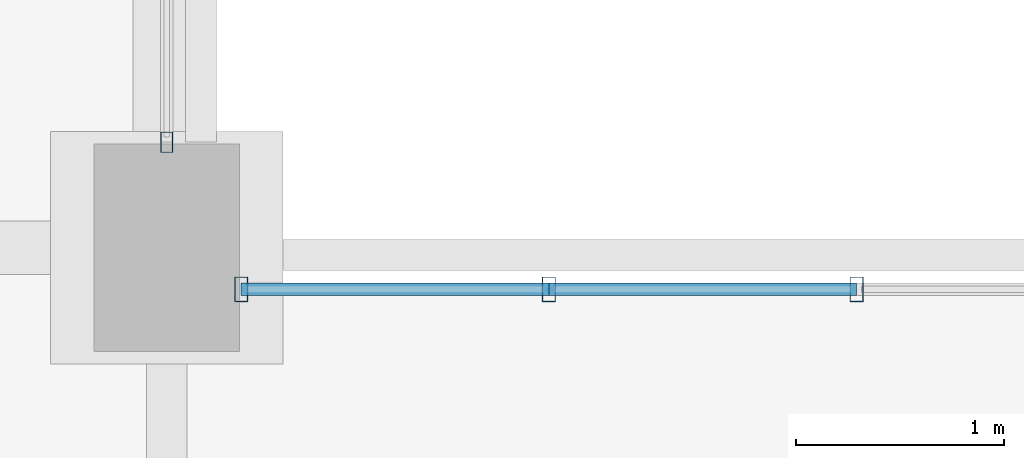
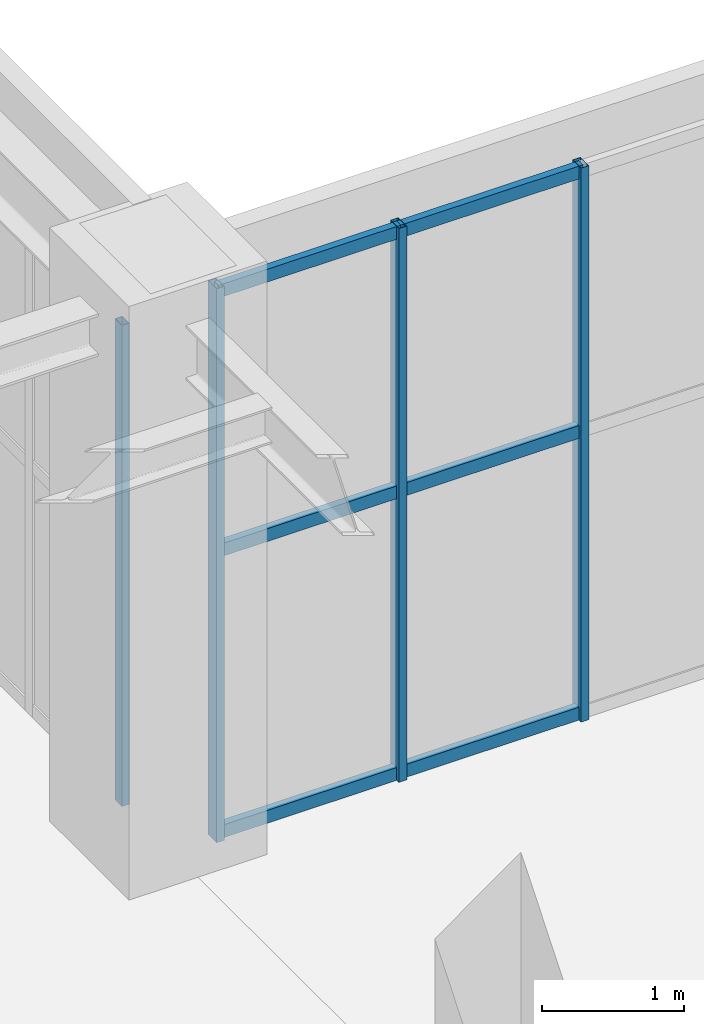
# One storey, part 113 of 174: 10 members, 2 elements without a shape of their own.
"""IFC4 building model written with IfcOpenShell, lengths in metres."""

from ifc_helpers import new_model, si_unit, direction, frame, origin, origin_2d, place, context, subcontext, project, spatial, hollow_rectangle, extrude, material, material_profile, profile_set, type_object, element, aggregate, save


model = new_model("IFC4")

# Units and contexts
model_context = context("Model", 3, precision=1e-05, world=origin(), true_north=direction((0.0, 1.0)))
body_context = subcontext(model_context, "Body", "Model", "MODEL_VIEW")
ifc_project = project(units=[si_unit("LENGTHUNIT", "METRE"), si_unit("AREAUNIT", "SQUARE_METRE"), si_unit("VOLUMEUNIT", "CUBIC_METRE"), si_unit("PLANEANGLEUNIT", "RADIAN"), si_unit("MASSUNIT", "GRAM", prefix="KILO")], contexts=[model_context])

# Site, building, storey
site_placement = place(None, origin())
site = spatial("IfcSite", under=ifc_project, at=site_placement, CompositionType="ELEMENT")
building_placement = place(site_placement, origin())
building = spatial("IfcBuilding", under=site, at=building_placement, Name="Mavantir Sound Aquarium", CompositionType="ELEMENT")
storey_placement = place(building_placement, frame((0.0, 0.0, 5.39990234375)))
storey = spatial("IfcBuildingStorey", under=building, at=storey_placement, Name="L01", CompositionType="ELEMENT", Elevation=5.39990234375)

# Curtain wall, member
ifc_material_1 = material(Name="Anodised Marine Aluminium and Low-E Glass", Category="aluminium")
curtain_wall_type_1 = type_object("IfcCurtainWallType", Name="CW-T15", PredefinedType="USERDEFINED", material=ifc_material_1)
curtain_wall_1_placement = place(storey_placement, origin())
curtain_wall_1 = element("IfcCurtainWall", 1, at=curtain_wall_1_placement, inside=storey, type_object=curtain_wall_type_1, Name="L01 unitised curtain wall CW-15 111", ObjectType="UNITISED GLAZING", PredefinedType="USERDEFINED")
ifc_material_2 = material(Name="Anodised Marine Aluminium 6063-T6", Category="aluminium")
ifc_material_profile_1 = material_profile(ifc_material_2, hollow_rectangle(XDim=0.06005859375, YDim=0.10009765625, WallThickness=0.00390625, at=origin_2d()), Name="ALU-MULLION-100X60")
ifc_profile_set_1 = profile_set([ifc_material_profile_1], Name="Anodised Marine Aluminium 6063-T6")
member_type_1 = type_object("IfcMemberType", Name="CW-MUL-100", PredefinedType="MULLION", material=ifc_profile_set_1)
member_1_placement = place(storey_placement, frame((156.0, 71.30810546875, 0.0), z_axis=(0.0, 0.0, 1.0), x_axis=(1.0, 0.0, 0.0)))
member_1 = element("IfcMember", 2, at=member_1_placement, type_object=member_type_1, Name="CW-L01-111 vertical mullion 1", PredefinedType="MULLION", context=body_context, shape_type="SweptSolid", body=[
    extrude(hollow_rectangle(XDim=0.06005859375, YDim=0.10009765625, WallThickness=0.00390625, at=origin_2d()), origin(), (0.0, 0.0, 1.0), 4.135009765625),
])
aggregate(curtain_wall_1, [member_1])

# Curtain wall, members
curtain_wall_type_2 = type_object("IfcCurtainWallType", Name="CW-T14", PredefinedType="USERDEFINED", material=ifc_material_1)
curtain_wall_2_placement = place(storey_placement, origin())
curtain_wall_2 = element("IfcCurtainWall", 3, at=curtain_wall_2_placement, inside=storey, type_object=curtain_wall_type_2, Name="L01 unitised curtain wall CW-14 110", ObjectType="UNITISED GLAZING", PredefinedType="USERDEFINED")
ifc_material_profile_2 = material_profile(ifc_material_2, hollow_rectangle(XDim=0.06494140625, YDim=0.1201171875, WallThickness=0.00390625, at=origin_2d()), Name="ALU-MULLION-120X65")
ifc_profile_set_2 = profile_set([ifc_material_profile_2], Name="Anodised Marine Aluminium 6063-T6")
member_type_2 = type_object("IfcMemberType", Name="CW-MUL-120", PredefinedType="MULLION", material=ifc_profile_set_2)
member_2_placement = place(storey_placement, frame((159.3193359375, 70.60009765625, 0.0), z_axis=(0.0, 0.0, 1.0), x_axis=(1.0, 0.0, 0.0)))
member_2 = element("IfcMember", 4, at=member_2_placement, type_object=member_type_2, Name="CW-L01-110 vertical mullion 5", PredefinedType="MULLION", context=body_context, shape_type="SweptSolid", body=[
    extrude(hollow_rectangle(XDim=0.06494140625, YDim=0.1201171875, WallThickness=0.00390625, at=origin_2d()), origin(), (0.0, 0.0, 1.0), 4.760009765625),
])
member_3_placement = place(storey_placement, frame((157.838623046875, 70.60009765625, 0.0), z_axis=(0.0, 0.0, 1.0), x_axis=(1.0, 0.0, 0.0)))
member_3 = element("IfcMember", 5, at=member_3_placement, type_object=member_type_2, Name="CW-L01-110 vertical mullion 6", PredefinedType="MULLION", context=body_context, shape_type="SweptSolid", body=[
    extrude(hollow_rectangle(XDim=0.06494140625, YDim=0.1201171875, WallThickness=0.00390625, at=origin_2d()), origin(), (0.0, 0.0, 1.0), 4.760009765625),
])
member_4_placement = place(storey_placement, frame((156.35791015625, 70.60009765625, 0.0), z_axis=(0.0, 0.0, 1.0), x_axis=(1.0, 0.0, 0.0)))
member_4 = element("IfcMember", 6, at=member_4_placement, type_object=member_type_2, Name="CW-L01-110 vertical mullion 7", PredefinedType="MULLION", context=body_context, shape_type="SweptSolid", body=[
    extrude(hollow_rectangle(XDim=0.06494140625, YDim=0.1201171875, WallThickness=0.00390625, at=origin_2d()), origin(), (0.0, 0.0, 1.0), 4.760009765625),
])
ifc_material_profile_3 = material_profile(ifc_material_2, hollow_rectangle(XDim=0.06005859375, YDim=0.110107421875, WallThickness=0.00390625, at=origin_2d()), Name="ALU-TRANSOM-110X60")
ifc_profile_set_3 = profile_set([ifc_material_profile_3], Name="Anodised Marine Aluminium 6063-T6")
member_type_3 = type_object("IfcMemberType", Name="CW-TRN-110", PredefinedType="USERDEFINED", material=ifc_profile_set_3)
member_5_placement = place(storey_placement, frame((159.3193359375, 70.60009765625, 0.05517578125), z_axis=(-1.0, 0.0, 0.0), x_axis=(0.0, -1.0, 0.0)))
member_5 = element("IfcMember", 7, at=member_5_placement, type_object=member_type_3, Name="CW-L01-110 transom 5.1", ObjectType="TRANSOM", PredefinedType="USERDEFINED", context=body_context, shape_type="SweptSolid", body=[
    extrude(hollow_rectangle(XDim=0.06005859375, YDim=0.110107421875, WallThickness=0.00390625, at=origin_2d()), origin(), (0.0, 0.0, 1.0), 1.480712890625),
])
member_6_placement = place(storey_placement, frame((159.3193359375, 70.60009765625, 2.475341796875), z_axis=(-1.0, 0.0, 0.0), x_axis=(0.0, -1.0, 0.0)))
member_6 = element("IfcMember", 8, at=member_6_placement, type_object=member_type_3, Name="CW-L01-110 transom 5.2", ObjectType="TRANSOM", PredefinedType="USERDEFINED", context=body_context, shape_type="SweptSolid", body=[
    extrude(hollow_rectangle(XDim=0.06005859375, YDim=0.110107421875, WallThickness=0.00390625, at=origin_2d()), origin(), (0.0, 0.0, 1.0), 1.480712890625),
])
member_7_placement = place(storey_placement, frame((159.3193359375, 70.60009765625, 4.705078125), z_axis=(-1.0, 0.0, 0.0), x_axis=(0.0, -1.0, 0.0)))
member_7 = element("IfcMember", 9, at=member_7_placement, type_object=member_type_3, Name="CW-L01-110 transom 5.3", ObjectType="TRANSOM", PredefinedType="USERDEFINED", context=body_context, shape_type="SweptSolid", body=[
    extrude(hollow_rectangle(XDim=0.06005859375, YDim=0.110107421875, WallThickness=0.00390625, at=origin_2d()), origin(), (0.0, 0.0, 1.0), 1.480712890625),
])
member_8_placement = place(storey_placement, frame((157.838623046875, 70.60009765625, 0.05517578125), z_axis=(-1.0, 0.0, 0.0), x_axis=(0.0, -1.0, 0.0)))
member_8 = element("IfcMember", 10, at=member_8_placement, type_object=member_type_3, Name="CW-L01-110 transom 6.1", ObjectType="TRANSOM", PredefinedType="USERDEFINED", context=body_context, shape_type="SweptSolid", body=[
    extrude(hollow_rectangle(XDim=0.06005859375, YDim=0.110107421875, WallThickness=0.00390625, at=origin_2d()), origin(), (0.0, 0.0, 1.0), 1.480712890625),
])
member_9_placement = place(storey_placement, frame((157.838623046875, 70.60009765625, 2.475341796875), z_axis=(-1.0, 0.0, 0.0), x_axis=(0.0, -1.0, 0.0)))
member_9 = element("IfcMember", 11, at=member_9_placement, type_object=member_type_3, Name="CW-L01-110 transom 6.2", ObjectType="TRANSOM", PredefinedType="USERDEFINED", context=body_context, shape_type="SweptSolid", body=[
    extrude(hollow_rectangle(XDim=0.06005859375, YDim=0.110107421875, WallThickness=0.00390625, at=origin_2d()), origin(), (0.0, 0.0, 1.0), 1.480712890625),
])
member_10_placement = place(storey_placement, frame((157.838623046875, 70.60009765625, 4.705078125), z_axis=(-1.0, 0.0, 0.0), x_axis=(0.0, -1.0, 0.0)))
member_10 = element("IfcMember", 12, at=member_10_placement, type_object=member_type_3, Name="CW-L01-110 transom 6.3", ObjectType="TRANSOM", PredefinedType="USERDEFINED", context=body_context, shape_type="SweptSolid", body=[
    extrude(hollow_rectangle(XDim=0.06005859375, YDim=0.110107421875, WallThickness=0.00390625, at=origin_2d()), origin(), (0.0, 0.0, 1.0), 1.480712890625),
])
aggregate(curtain_wall_2, [member_2, member_3, member_4, member_5, member_6, member_7, member_8, member_9, member_10])

save(model, "model.ifc")
